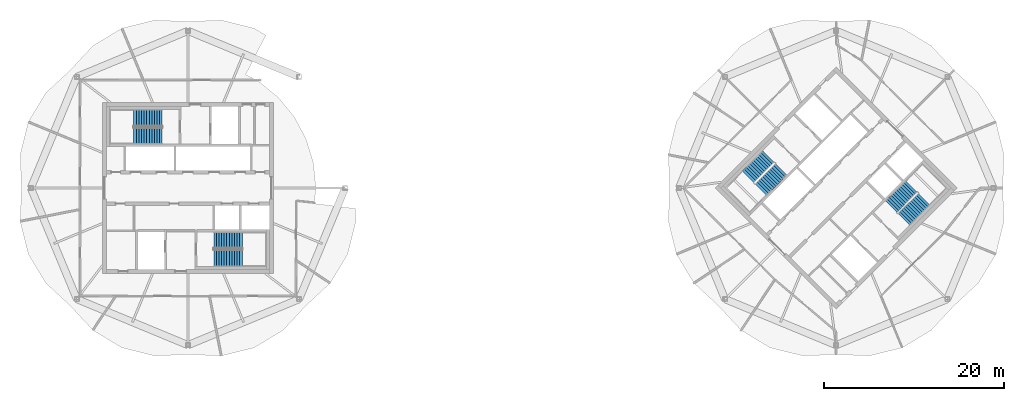
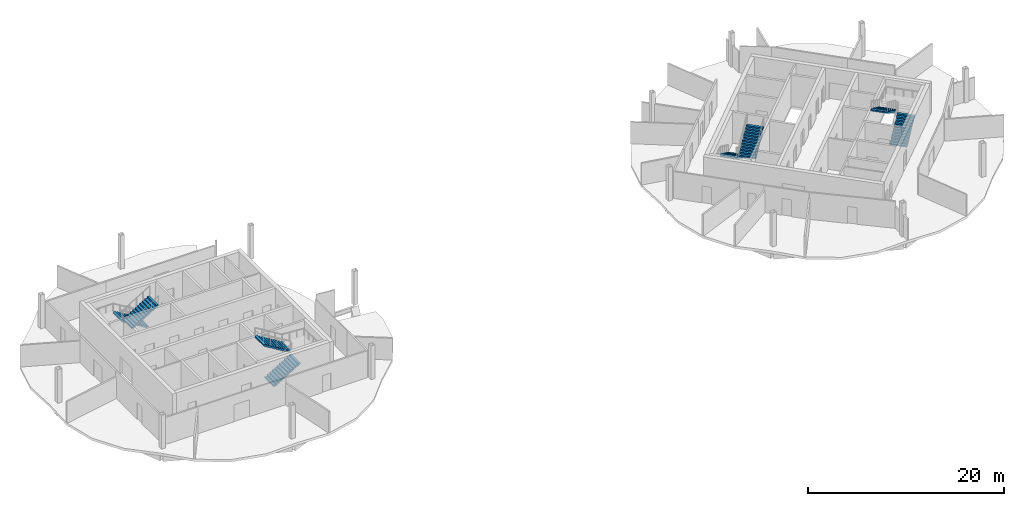
# One storey, part 10 of 11: 8 stair flights, 4 elements without a shape of their own.
"""IFC4 building model written with IfcOpenShell, lengths in metres."""

import ifcopenshell
import ifcopenshell.guid

model = None  # the IFC model being written
_history = None  # IfcOwnerHistory: only IFC2X3 demands one
_inside = {}  # id of a spatial element -> (the spatial element, [elements in it])
_under = {}  # id of a project, library or spatial element -> (it, [spatial elements below it])
_declared = {}  # id of a project -> (the project, [libraries it declares])
_typed = {}  # id of a type object -> (the type object, [elements of that type])
_made_of = {}  # id of a material, layer set ... -> (it, [elements and type objects made of it])


def new_model(schema):
    """Start an empty IFC model of exactly this schema.

    Asked for "IFC4X3", IfcOpenShell would pick the latest addendum, in which some entities
    have other attributes; the version numbers below select the first issue.
    IFC2X3 requires an IfcOwnerHistory on every rooted entity: one is made here for all.
    """
    global model, _history
    if schema == "IFC4X3":
        model = ifcopenshell.file(schema_version=(4, 3, 0, 0))
    else:
        model = ifcopenshell.file(schema=schema)
    _inside.clear()
    _under.clear()
    _declared.clear()
    _typed.clear()
    _made_of.clear()
    _history = None
    if model.schema == "IFC2X3":
        org = make("IfcOrganization", Name="unknown")
        user = make(
            "IfcPersonAndOrganization",
            ThePerson=make("IfcPerson", FamilyName="unknown"),
            TheOrganization=org,
        )
        app = make(
            "IfcApplication",
            ApplicationDeveloper=org,
            Version="unknown",
            ApplicationFullName="unknown",
            ApplicationIdentifier="unknown",
        )
        _history = make(
            "IfcOwnerHistory",
            OwningUser=user,
            OwningApplication=app,
            ChangeAction="ADDED",
            CreationDate=0,
        )
    return model


def make(cls, **values):
    """One entity of the class cls with the attributes given. An attribute that is None is left unset."""
    return model.create_entity(
        cls, **{name: value for name, value in values.items() if value is not None}
    )


def rooted(cls, **values):
    """An entity with a GlobalId (a new one), such as an element, a storey or a relation."""
    return make(cls, GlobalId=ifcopenshell.guid.new(), OwnerHistory=_history, **values)


def si_unit(unit_type, name, prefix=None):
    """IfcSIUnit, for example si_unit("LENGTHUNIT", "METRE", prefix="MILLI")."""
    return make("IfcSIUnit", UnitType=unit_type, Prefix=prefix, Name=name)


def assignment(units):
    """IfcUnitAssignment: the units of a project."""
    return None if units is None else make("IfcUnitAssignment", Units=units)


def point(xyz):
    """IfcCartesianPoint."""
    return None if xyz is None else make("IfcCartesianPoint", Coordinates=xyz)


def direction(xyz):
    """IfcDirection."""
    return None if xyz is None else make("IfcDirection", DirectionRatios=xyz)


def frame(location, z_axis=None, x_axis=None):
    """IfcAxis2Placement3D, a coordinate frame: its origin and axes. An axis left out is left unset."""
    return make(
        "IfcAxis2Placement3D",
        Location=point(location),
        Axis=direction(z_axis),
        RefDirection=direction(x_axis),
    )


def origin():
    """The frame at (0, 0, 0) with its axes left unset."""
    return frame((0.0, 0.0, 0.0))


def place(relative_to, where):
    """IfcLocalPlacement: puts the frame where relative to a parent placement (None: the world)."""
    return make(
        "IfcLocalPlacement", PlacementRelTo=relative_to, RelativePlacement=where
    )


def context(
    kind, dimensions, precision=None, world=None, true_north=None, identifier=None
):
    """IfcGeometricRepresentationContext, for example the 3D "Model" context."""
    return make(
        "IfcGeometricRepresentationContext",
        ContextIdentifier=identifier,
        ContextType=kind,
        CoordinateSpaceDimension=dimensions,
        Precision=precision,
        WorldCoordinateSystem=world,
        TrueNorth=true_north,
    )


def subcontext(parent, identifier, kind, view, scale=None):
    """IfcGeometricRepresentationSubContext, for example "Body" below "Model"."""
    return make(
        "IfcGeometricRepresentationSubContext",
        ContextIdentifier=identifier,
        ContextType=kind,
        ParentContext=parent,
        TargetScale=scale,
        TargetView=view,
    )


def project(units=None, contexts=None):
    """IfcProject with its units and contexts."""
    return rooted(
        "IfcProject",
        Name="project",
        RepresentationContexts=contexts,
        UnitsInContext=assignment(units),
    )


def spatial(cls, under=None, at=None, **own):
    """A site, building, storey or space (cls), placed at a placement, below another one or the project."""
    s = rooted(cls, ObjectPlacement=at, **own)
    if under is not None:
        _under.setdefault(under.id(), (under, []))[1].append(s)
    return s


def polyline(points):
    """IfcPolyline through the points."""
    return make("IfcPolyline", Points=[point(p) for p in points])


def outline(outer, holes=None, kind="AREA"):
    """IfcArbitraryClosedProfileDef: a profile drawn as a closed curve; with holes, ...WithVoids."""
    if holes is None:
        return make("IfcArbitraryClosedProfileDef", ProfileType=kind, OuterCurve=outer)
    return make(
        "IfcArbitraryProfileDefWithVoids",
        ProfileType=kind,
        OuterCurve=outer,
        InnerCurves=holes,
    )


def extrude(swept, where, along, depth):
    """IfcExtrudedAreaSolid: the profile swept, set in the frame where, extruded along a direction by depth."""
    return make(
        "IfcExtrudedAreaSolid",
        SweptArea=swept,
        Position=where,
        ExtrudedDirection=direction(along),
        Depth=depth,
    )


def shape(context_of_items, identifier, shape_type, items):
    """IfcShapeRepresentation: the items that make up one representation, for example the "Body"."""
    return make(
        "IfcShapeRepresentation",
        ContextOfItems=context_of_items,
        RepresentationIdentifier=identifier,
        RepresentationType=shape_type,
        Items=items,
    )


def material(Name=None, Category=None):
    """IfcMaterial."""
    return make("IfcMaterial", Name=Name, Category=Category)


def made_of(thing, what):
    """Note that an element or type object is made of a material, layer set ...; save() writes the relation."""
    if what is not None:
        _made_of.setdefault(what.id(), (what, []))[1].append(thing)
    return thing


def type_object(cls, material=None, **own):
    """A type object (cls), such as IfcWallType, which elements share."""
    return made_of(rooted(cls, **own), material)


def element(
    cls,
    number,
    at=None,
    inside=None,
    cuts=None,
    type_object=None,
    material=None,
    context=None,
    identifier="Body",
    shape_type=None,
    held_by="IfcProductDefinitionShape",
    body=None,
    shapes=None,
    **own,
):
    """One element of the class cls, such as IfcWall. Its Tag is "e" and its number.

    at: its placement. inside: the storey or other place that contains it. cuts: it is an
    opening in that element (IfcRelVoidsElement). A single representation is given by context,
    identifier, shape_type and body (its items); several are given by shapes. held_by: the class
    of the entity that holds the representations. save() writes the other relations.
    """
    e = rooted(cls, Tag="e%d" % number, ObjectPlacement=at, **own)
    if body is not None:
        shapes = [shape(context, identifier, shape_type, body)]
    if shapes is not None:
        e.Representation = make(held_by, Representations=shapes)
    if inside is not None:
        _inside.setdefault(inside.id(), (inside, []))[1].append(e)
    if cuts is not None:
        rooted(
            "IfcRelVoidsElement", RelatingBuildingElement=cuts, RelatedOpeningElement=e
        )
    if type_object is not None:
        _typed.setdefault(type_object.id(), (type_object, []))[1].append(e)
    return made_of(e, material)


def aggregate(whole, parts):
    """IfcRelAggregates: a whole, such as a stair, and the parts it consists of."""
    return rooted("IfcRelAggregates", RelatingObject=whole, RelatedObjects=parts)


def save(model, path):
    """Write the relations noted so far, then the file.

    IfcRelAggregates (storeys below a building ...), IfcRelContainedInSpatialStructure (elements
    in a storey), IfcRelDefinesByType, IfcRelAssociatesMaterial and IfcRelDeclares: one each for
    every whole, place, type object, material and project.
    """
    for whole, parts in _under.values():
        aggregate(whole, parts)
    for where, things in _inside.values():
        rooted(
            "IfcRelContainedInSpatialStructure",
            RelatedElements=things,
            RelatingStructure=where,
        )
    for kind, things in _typed.values():
        rooted("IfcRelDefinesByType", RelatedObjects=things, RelatingType=kind)
    for what, things in _made_of.values():
        rooted("IfcRelAssociatesMaterial", RelatedObjects=things, RelatingMaterial=what)
    for by, libraries in _declared.values():
        rooted("IfcRelDeclares", RelatingContext=by, RelatedDefinitions=libraries)
    model.write(path)


model = new_model("IFC4")

# Units and contexts
model_context = context("Model", 3, precision=1e-05, world=origin(), true_north=direction((0.0, 1.0)))
body_context = subcontext(model_context, "Body", "Model", "MODEL_VIEW")
ifc_project = project(units=[si_unit("LENGTHUNIT", "METRE"), si_unit("AREAUNIT", "SQUARE_METRE"), si_unit("VOLUMEUNIT", "CUBIC_METRE"), si_unit("PLANEANGLEUNIT", "RADIAN"), si_unit("MASSUNIT", "GRAM", prefix="KILO")], contexts=[model_context])

# Site, building, storey
site_placement = place(None, origin())
site = spatial("IfcSite", under=ifc_project, at=site_placement, CompositionType="ELEMENT")
building_placement = place(site_placement, origin())
building = spatial("IfcBuilding", under=site, at=building_placement, Name="Ogive Gate Towers", CompositionType="ELEMENT")
storey_placement = place(building_placement, frame((0.0, 0.0, 281.39990234375)))
storey = spatial("IfcBuildingStorey", under=building, at=storey_placement, Name="L66", CompositionType="ELEMENT", Elevation=281.39990234375)

# Stair, stair flights
ifc_material = material(Name="Concrete C40/50", Category="concrete")
stair_type = type_object("IfcStairType", Name="Escape stair 1840 wide", PredefinedType="HALF_TURN_STAIR", material=ifc_material)
stair_1_placement = place(storey_placement, origin())
stair_1 = element("IfcStair", 1, at=stair_1_placement, inside=storey, type_object=stair_type, Name="L66 Escape stair 1", PredefinedType="HALF_TURN_STAIR")
stair_flight_type = type_object("IfcStairFlightType", Name="Stair flight 1840 wide", PredefinedType="STRAIGHT", material=ifc_material)
stair_flight_1_placement = place(storey_placement, frame((-38.864990234375, 7.780029296875, 0.0), z_axis=(0.0, 0.0, 1.0), x_axis=(-1.0, 0.0, 0.0)))
stair_flight_1 = element("IfcStairFlight", 2, at=stair_flight_1_placement, type_object=stair_flight_type, Name="ST1 flight 1", NumberOfRisers=12, NumberOfTreads=11, PredefinedType="STRAIGHT", RiserHeight=0.175, TreadLength=0.2875, context=body_context, shape_type="SweptSolid", body=[
    extrude(outline(polyline([(0.0, 0.0), (0.0, 0.175048828125), (0.28759765625, 0.175048828125), (0.28759765625, 0.35009765625), (0.574951171875, 0.35009765625), (0.574951171875, 0.52490234375), (0.862548828125, 0.52490234375), (0.862548828125, 0.699951171875), (1.14990234375, 0.699951171875), (1.14990234375, 0.875), (1.4375, 0.875), (1.4375, 1.050048828125), (1.72509765625, 1.050048828125), (1.72509765625, 1.22509765625), (2.012451171875, 1.22509765625), (2.012451171875, 1.39990234375), (2.300048828125, 1.39990234375), (2.300048828125, 1.574951171875), (2.58740234375, 1.574951171875), (2.58740234375, 1.75), (2.875, 1.75), (2.875, 1.925048828125), (3.16259765625, 1.925048828125), (3.16259765625, 2.10009765625), (3.16259765625, 1.74951171875), (0.288330078125, 0.0), (0.0, 0.0)])), frame((0.0, 0.919921875, 0.0), z_axis=(0.0, -1.0, 0.0), x_axis=(1.0, 0.0, 0.0)), (0.0, 0.0, 1.0), 1.840087890625),
])
stair_flight_2_placement = place(storey_placement, frame((-42.027587890625, 5.794921875, 2.10009765625), z_axis=(0.0, 0.0, 1.0), x_axis=(1.0, 0.0, 0.0)))
stair_flight_2 = element("IfcStairFlight", 3, at=stair_flight_2_placement, type_object=stair_flight_type, Name="ST1 flight 2", NumberOfRisers=12, NumberOfTreads=11, PredefinedType="STRAIGHT", RiserHeight=0.175, TreadLength=0.2875, context=body_context, shape_type="SweptSolid", body=[
    extrude(outline(polyline([(0.0, 0.0), (0.0, 0.175048828125), (0.28759765625, 0.175048828125), (0.28759765625, 0.35009765625), (0.574951171875, 0.35009765625), (0.574951171875, 0.52490234375), (0.862548828125, 0.52490234375), (0.862548828125, 0.699951171875), (1.14990234375, 0.699951171875), (1.14990234375, 0.875), (1.4375, 0.875), (1.4375, 1.050048828125), (1.72509765625, 1.050048828125), (1.72509765625, 1.22509765625), (2.012451171875, 1.22509765625), (2.012451171875, 1.39990234375), (2.300048828125, 1.39990234375), (2.300048828125, 1.574951171875), (2.58740234375, 1.574951171875), (2.58740234375, 1.75), (2.875, 1.75), (2.875, 1.925048828125), (3.16259765625, 1.925048828125), (3.16259765625, 2.10009765625), (3.16259765625, 1.74951171875), (0.288330078125, 0.0), (0.0, 0.0)])), frame((0.0, 0.919921875, 0.0), z_axis=(0.0, -1.0, 0.0), x_axis=(1.0, 0.0, 0.0)), (0.0, 0.0, 1.0), 1.840087890625),
])
aggregate(stair_1, [stair_flight_1, stair_flight_2])

stair_2_placement = place(storey_placement, origin())
stair_2 = element("IfcStair", 4, at=stair_2_placement, inside=storey, type_object=stair_type, Name="L66 Escape stair 2", PredefinedType="HALF_TURN_STAIR")
stair_flight_3_placement = place(storey_placement, frame((-33.135009765625, -7.780029296875, 0.0), z_axis=(0.0, 0.0, 1.0), x_axis=(1.0, 0.0, 0.0)))
stair_flight_3 = element("IfcStairFlight", 5, at=stair_flight_3_placement, type_object=stair_flight_type, Name="ST2 flight 1", NumberOfRisers=12, NumberOfTreads=11, PredefinedType="STRAIGHT", RiserHeight=0.175, TreadLength=0.2875, context=body_context, shape_type="SweptSolid", body=[
    extrude(outline(polyline([(0.0, 0.0), (0.0, 0.175048828125), (0.28759765625, 0.175048828125), (0.28759765625, 0.35009765625), (0.574951171875, 0.35009765625), (0.574951171875, 0.52490234375), (0.862548828125, 0.52490234375), (0.862548828125, 0.699951171875), (1.14990234375, 0.699951171875), (1.14990234375, 0.875), (1.4375, 0.875), (1.4375, 1.050048828125), (1.72509765625, 1.050048828125), (1.72509765625, 1.22509765625), (2.012451171875, 1.22509765625), (2.012451171875, 1.39990234375), (2.300048828125, 1.39990234375), (2.300048828125, 1.574951171875), (2.58740234375, 1.574951171875), (2.58740234375, 1.75), (2.875, 1.75), (2.875, 1.925048828125), (3.16259765625, 1.925048828125), (3.16259765625, 2.10009765625), (3.16259765625, 1.74951171875), (0.288330078125, 0.0), (0.0, 0.0)])), frame((0.0, 0.919921875, 0.0), z_axis=(0.0, -1.0, 0.0), x_axis=(1.0, 0.0, 0.0)), (0.0, 0.0, 1.0), 1.840087890625),
])
stair_flight_4_placement = place(storey_placement, frame((-29.972412109375, -5.794921875, 2.10009765625), z_axis=(0.0, 0.0, 1.0), x_axis=(-1.0, 0.0, 0.0)))
stair_flight_4 = element("IfcStairFlight", 6, at=stair_flight_4_placement, type_object=stair_flight_type, Name="ST2 flight 2", NumberOfRisers=12, NumberOfTreads=11, PredefinedType="STRAIGHT", RiserHeight=0.175, TreadLength=0.2875, context=body_context, shape_type="SweptSolid", body=[
    extrude(outline(polyline([(0.0, 0.0), (0.0, 0.175048828125), (0.28759765625, 0.175048828125), (0.28759765625, 0.35009765625), (0.574951171875, 0.35009765625), (0.574951171875, 0.52490234375), (0.862548828125, 0.52490234375), (0.862548828125, 0.699951171875), (1.14990234375, 0.699951171875), (1.14990234375, 0.875), (1.4375, 0.875), (1.4375, 1.050048828125), (1.72509765625, 1.050048828125), (1.72509765625, 1.22509765625), (2.012451171875, 1.22509765625), (2.012451171875, 1.39990234375), (2.300048828125, 1.39990234375), (2.300048828125, 1.574951171875), (2.58740234375, 1.574951171875), (2.58740234375, 1.75), (2.875, 1.75), (2.875, 1.925048828125), (3.16259765625, 1.925048828125), (3.16259765625, 2.10009765625), (3.16259765625, 1.74951171875), (0.288330078125, 0.0), (0.0, 0.0)])), frame((0.0, 0.919921875, 0.0), z_axis=(0.0, -1.0, 0.0), x_axis=(1.0, 0.0, 0.0)), (0.0, 0.0, 1.0), 1.840087890625),
])
aggregate(stair_2, [stair_flight_3, stair_flight_4])

stair_3_placement = place(storey_placement, origin())
stair_3 = element("IfcStair", 7, at=stair_3_placement, inside=storey, type_object=stair_type, Name="L66 Escape stair 1", PredefinedType="HALF_TURN_STAIR")
stair_flight_5_placement = place(storey_placement, frame((28.472900390625, 3.475341796875, 0.0), z_axis=(0.0, 0.0, 1.0), x_axis=(-0.707106781187, -0.707106781187, 0.0)))
stair_flight_5 = element("IfcStairFlight", 8, at=stair_flight_5_placement, type_object=stair_flight_type, Name="ST1 flight 1", NumberOfRisers=12, NumberOfTreads=11, PredefinedType="STRAIGHT", RiserHeight=0.175, TreadLength=0.2875, context=body_context, shape_type="SweptSolid", body=[
    extrude(outline(polyline([(0.0, 0.0), (0.0, 0.175048828125), (0.28759765625, 0.175048828125), (0.28759765625, 0.35009765625), (0.574951171875, 0.35009765625), (0.574951171875, 0.52490234375), (0.862548828125, 0.52490234375), (0.862548828125, 0.699951171875), (1.14990234375, 0.699951171875), (1.14990234375, 0.875), (1.4375, 0.875), (1.4375, 1.050048828125), (1.72509765625, 1.050048828125), (1.72509765625, 1.22509765625), (2.012451171875, 1.22509765625), (2.012451171875, 1.39990234375), (2.300048828125, 1.39990234375), (2.300048828125, 1.574951171875), (2.58740234375, 1.574951171875), (2.58740234375, 1.75), (2.875, 1.75), (2.875, 1.925048828125), (3.16259765625, 1.925048828125), (3.16259765625, 2.10009765625), (3.16259765625, 1.74951171875), (0.288330078125, 0.0), (0.0, 0.0)])), frame((0.0, 0.919921875, 0.0), z_axis=(0.0, -1.0, 0.0), x_axis=(1.0, 0.0, 0.0)), (0.0, 0.0, 1.0), 1.840087890625),
])
stair_flight_6_placement = place(storey_placement, frame((27.64013671875, -0.164306640625, 2.10009765625), z_axis=(0.0, 0.0, 1.0), x_axis=(0.707106781187, 0.707106781187, 0.0)))
stair_flight_6 = element("IfcStairFlight", 9, at=stair_flight_6_placement, type_object=stair_flight_type, Name="ST1 flight 2", NumberOfRisers=12, NumberOfTreads=11, PredefinedType="STRAIGHT", RiserHeight=0.175, TreadLength=0.2875, context=body_context, shape_type="SweptSolid", body=[
    extrude(outline(polyline([(0.0, 0.0), (0.0, 0.175048828125), (0.28759765625, 0.175048828125), (0.28759765625, 0.35009765625), (0.574951171875, 0.35009765625), (0.574951171875, 0.52490234375), (0.862548828125, 0.52490234375), (0.862548828125, 0.699951171875), (1.14990234375, 0.699951171875), (1.14990234375, 0.875), (1.4375, 0.875), (1.4375, 1.050048828125), (1.72509765625, 1.050048828125), (1.72509765625, 1.22509765625), (2.012451171875, 1.22509765625), (2.012451171875, 1.39990234375), (2.300048828125, 1.39990234375), (2.300048828125, 1.574951171875), (2.58740234375, 1.574951171875), (2.58740234375, 1.75), (2.875, 1.75), (2.875, 1.925048828125), (3.16259765625, 1.925048828125), (3.16259765625, 2.10009765625), (3.16259765625, 1.74951171875), (0.288330078125, 0.0), (0.0, 0.0)])), frame((0.0, 0.919921875, 0.0), z_axis=(0.0, -1.0, 0.0), x_axis=(1.0, 0.0, 0.0)), (0.0, 0.0, 1.0), 1.840087890625),
])
aggregate(stair_3, [stair_flight_5, stair_flight_6])

stair_4_placement = place(storey_placement, origin())
stair_4 = element("IfcStair", 10, at=stair_4_placement, inside=storey, type_object=stair_type, Name="L66 Escape stair 2", PredefinedType="HALF_TURN_STAIR")
stair_flight_7_placement = place(storey_placement, frame((43.527099609375, -3.475341796875, 0.0), z_axis=(0.0, 0.0, 1.0), x_axis=(0.707106781187, 0.707106781187, 0.0)))
stair_flight_7 = element("IfcStairFlight", 11, at=stair_flight_7_placement, type_object=stair_flight_type, Name="ST2 flight 1", NumberOfRisers=12, NumberOfTreads=11, PredefinedType="STRAIGHT", RiserHeight=0.175, TreadLength=0.2875, context=body_context, shape_type="SweptSolid", body=[
    extrude(outline(polyline([(0.0, 0.0), (0.0, 0.175048828125), (0.28759765625, 0.175048828125), (0.28759765625, 0.35009765625), (0.574951171875, 0.35009765625), (0.574951171875, 0.52490234375), (0.862548828125, 0.52490234375), (0.862548828125, 0.699951171875), (1.14990234375, 0.699951171875), (1.14990234375, 0.875), (1.4375, 0.875), (1.4375, 1.050048828125), (1.72509765625, 1.050048828125), (1.72509765625, 1.22509765625), (2.012451171875, 1.22509765625), (2.012451171875, 1.39990234375), (2.300048828125, 1.39990234375), (2.300048828125, 1.574951171875), (2.58740234375, 1.574951171875), (2.58740234375, 1.75), (2.875, 1.75), (2.875, 1.925048828125), (3.16259765625, 1.925048828125), (3.16259765625, 2.10009765625), (3.16259765625, 1.74951171875), (0.288330078125, 0.0), (0.0, 0.0)])), frame((0.0, 0.919921875, 0.0), z_axis=(0.0, -1.0, 0.0), x_axis=(1.0, 0.0, 0.0)), (0.0, 0.0, 1.0), 1.840087890625),
])
stair_flight_8_placement = place(storey_placement, frame((44.35986328125, 0.164306640625, 2.10009765625), z_axis=(0.0, 0.0, 1.0), x_axis=(-0.707106781187, -0.707106781187, 0.0)))
stair_flight_8 = element("IfcStairFlight", 12, at=stair_flight_8_placement, type_object=stair_flight_type, Name="ST2 flight 2", NumberOfRisers=12, NumberOfTreads=11, PredefinedType="STRAIGHT", RiserHeight=0.175, TreadLength=0.2875, context=body_context, shape_type="SweptSolid", body=[
    extrude(outline(polyline([(0.0, 0.0), (0.0, 0.175048828125), (0.28759765625, 0.175048828125), (0.28759765625, 0.35009765625), (0.574951171875, 0.35009765625), (0.574951171875, 0.52490234375), (0.862548828125, 0.52490234375), (0.862548828125, 0.699951171875), (1.14990234375, 0.699951171875), (1.14990234375, 0.875), (1.4375, 0.875), (1.4375, 1.050048828125), (1.72509765625, 1.050048828125), (1.72509765625, 1.22509765625), (2.012451171875, 1.22509765625), (2.012451171875, 1.39990234375), (2.300048828125, 1.39990234375), (2.300048828125, 1.574951171875), (2.58740234375, 1.574951171875), (2.58740234375, 1.75), (2.875, 1.75), (2.875, 1.925048828125), (3.16259765625, 1.925048828125), (3.16259765625, 2.10009765625), (3.16259765625, 1.74951171875), (0.288330078125, 0.0), (0.0, 0.0)])), frame((0.0, 0.919921875, 0.0), z_axis=(0.0, -1.0, 0.0), x_axis=(1.0, 0.0, 0.0)), (0.0, 0.0, 1.0), 1.840087890625),
])
aggregate(stair_4, [stair_flight_7, stair_flight_8])

save(model, "model.ifc")
